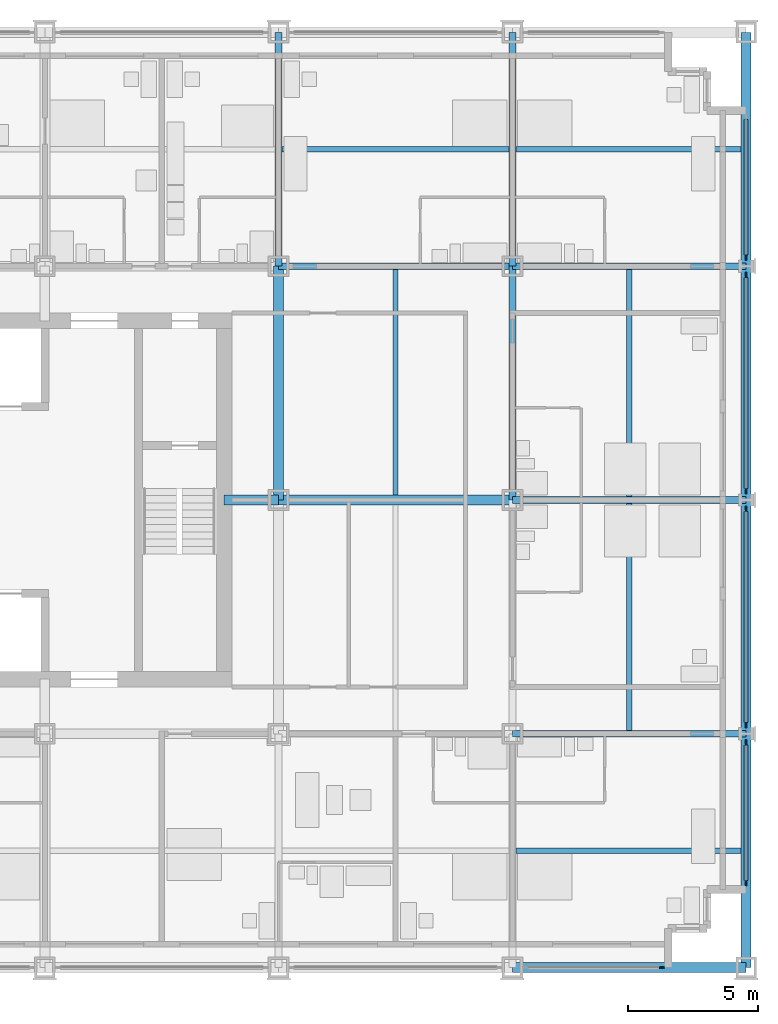
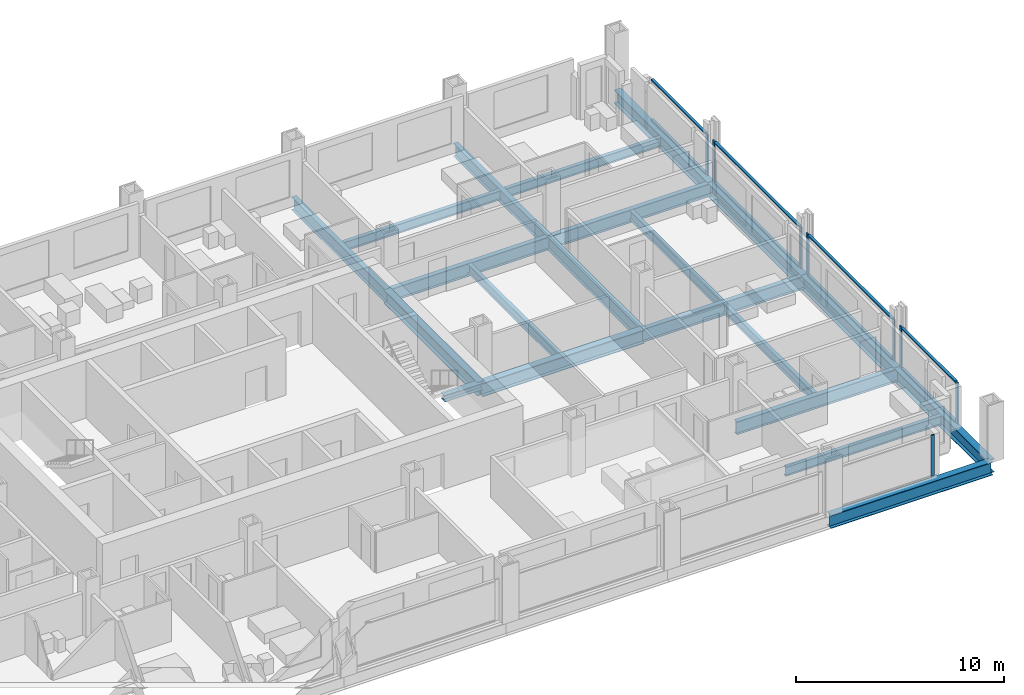
# One storey, part 6 of 18: 20 beams, 17 members, 5 elements without a shape of their own.
"""IFC4 building model written with IfcOpenShell, lengths in metres."""

from ifc_helpers import new_model, si_unit, direction, frame, origin, origin_2d, place, context, subcontext, project, spatial, rectangle, i_section, extrude, material, material_profile, profile_set, type_object, element, aggregate, save


model = new_model("IFC4")

# Units and contexts
model_context = context("Model", 3, precision=1e-05, world=origin(), true_north=direction((0.0, 1.0)))
body_context = subcontext(model_context, "Body", "Model", "MODEL_VIEW")
ifc_project = project(units=[si_unit("LENGTHUNIT", "METRE"), si_unit("AREAUNIT", "SQUARE_METRE"), si_unit("VOLUMEUNIT", "CUBIC_METRE"), si_unit("PLANEANGLEUNIT", "RADIAN"), si_unit("MASSUNIT", "GRAM", prefix="KILO")], contexts=[model_context])

# Site, building, storey
site_placement = place(None, origin())
site = spatial("IfcSite", under=ifc_project, at=site_placement, CompositionType="ELEMENT")
building_placement = place(site_placement, origin())
building = spatial("IfcBuilding", under=site, at=building_placement, Name="Loomwork Tower", CompositionType="ELEMENT")
storey_placement = place(building_placement, frame((0.0, 0.0, 38.199951171875)))
storey = spatial("IfcBuildingStorey", under=building, at=storey_placement, Name="L08", CompositionType="ELEMENT", Elevation=38.199951171875)

# Beams
ifc_material_1 = material(Name="Steel ASTM A992", Category="steel")
ifc_material_profile_1 = material_profile(ifc_material_1, i_section(OverallWidth=0.383544921875, OverallDepth=0.794921875, WebThickness=0.02099609375, FlangeThickness=0.0380859375, at=origin_2d()), Name="W30x235")
ifc_profile_set_1 = profile_set([ifc_material_profile_1], Name="Steel ASTM A992")
beam_type_1 = type_object("IfcBeamType", Name="CORE FLANK GIRDER W30x235", PredefinedType="BEAM", material=ifc_profile_set_1)
for number, where, z_axis, x_axis, name in (
    (1, (36.0, 18.0, -0.597412109375), (1.0, 0.0, 0.0), (0.0, 1.0, 0.0), "Core Flank Girder F/6-F/7 L08"),
    (2, (36.0, 18.0, -0.597412109375), (0.0, 1.0, 0.0), (-1.0, 0.0, 0.0), "Core Flank Girder F/6-G/6 L08"),
):
    element("IfcBeam", number, at=place(storey_placement, frame(where, z_axis=z_axis, x_axis=x_axis)), inside=storey, type_object=beam_type_1, Name=name, PredefinedType="BEAM", context=body_context, shape_type="SweptSolid", body=[
        extrude(i_section(OverallWidth=0.383544921875, OverallDepth=0.794921875, WebThickness=0.02099609375, FlangeThickness=0.0380859375, at=origin_2d()), origin(), (0.0, 0.0, 1.0), 9.0),
    ])

# Member
ifc_material_2 = material(Name="Steel ASTM A992", Category="steel")
ifc_material_profile_2 = material_profile(ifc_material_2, i_section(OverallWidth=0.373291015625, OverallDepth=0.373291015625, WebThickness=0.016357421875, FlangeThickness=0.026123046875, at=origin_2d()), Name="W14x132")
ifc_profile_set_2 = profile_set([ifc_material_profile_2], Name="Steel ASTM A992")
member_type_1 = type_object("IfcMemberType", Name="CORE LINK STRUT W14x132", PredefinedType="STRUT", material=ifc_profile_set_2)
member_1_placement = place(storey_placement, frame((36.0, 18.0, -0.38671875), z_axis=(-1.0, 0.0, 0.0), x_axis=(0.0, -1.0, 0.0)))
element("IfcMember", 3, at=member_1_placement, inside=storey, type_object=member_type_1, Name="Core link strut F/6-33.900,18.000 L08", PredefinedType="STRUT", context=body_context, shape_type="SweptSolid", body=[
    extrude(i_section(OverallWidth=0.373291015625, OverallDepth=0.373291015625, WebThickness=0.016357421875, FlangeThickness=0.026123046875, at=origin_2d()), origin(), (0.0, 0.0, 1.0), 2.10009765625),
])

# Beams
ifc_material_3 = material(Name="Steel ASTM A992", Category="steel")
ifc_material_profile_3 = material_profile(ifc_material_3, i_section(OverallWidth=0.2666015625, OverallDepth=0.761962890625, WebThickness=0.014404296875, FlangeThickness=0.021484375, at=origin_2d()), Name="W30x116")
ifc_profile_set_3 = profile_set([ifc_material_profile_3], Name="Steel ASTM A992")
beam_type_2 = type_object("IfcBeamType", Name="FLOOR GIRDER W30x116", PredefinedType="BEAM", material=ifc_profile_set_3)
for number, where, z_axis, x_axis, name in (
    (4, (45.0, 9.0, -0.5810546875), (1.0, 0.0, 0.0), (0.0, 1.0, 0.0), "Floor Girder E/7-E/8 L08"),
    (5, (45.0, 18.0, -0.5810546875), (1.0, 0.0, 0.0), (0.0, 1.0, 0.0), "Floor Girder F/7-F/8 L08"),
    (6, (36.0, 27.0, -0.5810546875), (1.0, 0.0, 0.0), (0.0, 1.0, 0.0), "Floor Girder G/6-G/7 L08"),
    (7, (45.0, 27.0, -0.5810546875), (1.0, 0.0, 0.0), (0.0, 1.0, 0.0), "Floor Girder G/7-G/8 L08"),
    (8, (36.0, 27.0, -0.5810546875), (0.0, 1.0, 0.0), (-1.0, 0.0, 0.0), "Floor Girder G/6-H/6 L08"),
    (9, (45.0, 18.0, -0.5810546875), (0.0, 1.0, 0.0), (-1.0, 0.0, 0.0), "Floor Girder F/7-G/7 L08"),
    (10, (45.0, 27.0, -0.5810546875), (0.0, 1.0, 0.0), (-1.0, 0.0, 0.0), "Floor Girder G/7-H/7 L08"),
):
    element("IfcBeam", number, at=place(storey_placement, frame(where, z_axis=z_axis, x_axis=x_axis)), inside=storey, type_object=beam_type_2, Name=name, PredefinedType="BEAM", context=body_context, shape_type="SweptSolid", body=[
        extrude(i_section(OverallWidth=0.2666015625, OverallDepth=0.761962890625, WebThickness=0.014404296875, FlangeThickness=0.021484375, at=origin_2d()), origin(), (0.0, 0.0, 1.0), 9.0),
    ])
ifc_material_4 = material(Name="Steel ASTM A992", Category="steel")
ifc_material_profile_4 = material_profile(ifc_material_4, i_section(OverallWidth=0.2109375, OverallDepth=0.53857421875, WebThickness=0.011474609375, FlangeThickness=0.018798828125, at=origin_2d()), Name="W21x73")
ifc_profile_set_4 = profile_set([ifc_material_profile_4], Name="Steel ASTM A992")
beam_type_3 = type_object("IfcBeamType", Name="FLOOR JOIST W21x73", PredefinedType="JOIST", material=ifc_profile_set_4)
beam_1_placement = place(storey_placement, frame((40.5, 18.19091796875, -0.46923828125), z_axis=(0.0, 1.0, 0.0), x_axis=(-1.0, 0.0, 0.0)))
element("IfcBeam", 11, at=beam_1_placement, inside=storey, type_object=beam_type_3, Name="Floor Joist 40.500,18.000-40.500,27.000 L08", PredefinedType="JOIST", context=body_context, shape_type="SweptSolid", body=[
    extrude(i_section(OverallWidth=0.2109375, OverallDepth=0.53857421875, WebThickness=0.011474609375, FlangeThickness=0.018798828125, at=origin_2d()), origin(), (0.0, 0.0, 1.0), 8.676025390625),
])
beam_2_placement = place(storey_placement, frame((36.133056640625, 31.5, -0.46923828125), z_axis=(1.0, 0.0, 0.0), x_axis=(0.0, 1.0, 0.0)))
element("IfcBeam", 12, at=beam_2_placement, inside=storey, type_object=beam_type_3, Name="Floor Joist 36.000,31.500-45.000,31.500 L08", PredefinedType="JOIST", context=body_context, shape_type="SweptSolid", body=[
    extrude(i_section(OverallWidth=0.2109375, OverallDepth=0.53857421875, WebThickness=0.011474609375, FlangeThickness=0.018798828125, at=origin_2d()), origin(), (0.0, 0.0, 1.0), 8.73388671875),
])
beam_3_placement = place(storey_placement, frame((45.133056640625, 4.5, -0.46923828125), z_axis=(1.0, 0.0, 0.0), x_axis=(0.0, 1.0, 0.0)))
element("IfcBeam", 13, at=beam_3_placement, inside=storey, type_object=beam_type_3, Name="Floor Joist 45.000,4.500-54.000,4.500 L08", PredefinedType="JOIST", context=body_context, shape_type="SweptSolid", body=[
    extrude(i_section(OverallWidth=0.2109375, OverallDepth=0.53857421875, WebThickness=0.011474609375, FlangeThickness=0.018798828125, at=origin_2d()), origin(), (0.0, 0.0, 1.0), 8.677001953125),
])
for number, where, z_axis, x_axis, name in (
    (14, (49.5, 9.133056640625, -0.46923828125), (0.0, 1.0, 0.0), (-1.0, 0.0, 0.0), "Floor Joist 49.500,9.000-49.500,18.000 L08"),
    (15, (49.5, 18.133056640625, -0.46923828125), (0.0, 1.0, 0.0), (-1.0, 0.0, 0.0), "Floor Joist 49.500,18.000-49.500,27.000 L08"),
):
    element("IfcBeam", number, at=place(storey_placement, frame(where, z_axis=z_axis, x_axis=x_axis)), inside=storey, type_object=beam_type_3, Name=name, PredefinedType="JOIST", context=body_context, shape_type="SweptSolid", body=[
        extrude(i_section(OverallWidth=0.2109375, OverallDepth=0.53857421875, WebThickness=0.011474609375, FlangeThickness=0.018798828125, at=origin_2d()), origin(), (0.0, 0.0, 1.0), 8.73388671875),
    ])
beam_4_placement = place(storey_placement, frame((45.133056640625, 31.5, -0.46923828125), z_axis=(1.0, 0.0, 0.0), x_axis=(0.0, 1.0, 0.0)))
element("IfcBeam", 16, at=beam_4_placement, inside=storey, type_object=beam_type_3, Name="Floor Joist 45.000,31.500-54.000,31.500 L08", PredefinedType="JOIST", context=body_context, shape_type="SweptSolid", body=[
    extrude(i_section(OverallWidth=0.2109375, OverallDepth=0.53857421875, WebThickness=0.011474609375, FlangeThickness=0.018798828125, at=origin_2d()), origin(), (0.0, 0.0, 1.0), 8.677001953125),
])

# Curtain wall, member
ifc_material_5 = material(Name="Aluminium curtain wall frame", Category="aluminium")
curtain_wall_type = type_object("IfcCurtainWallType", Name="Outer skin glazing hotel", PredefinedType="NOTDEFINED", material=ifc_material_5)
curtain_wall_1_placement = place(storey_placement, origin())
curtain_wall_1 = element("IfcCurtainWall", 17, at=curtain_wall_1_placement, inside=storey, type_object=curtain_wall_type, Name="Outer skin glazing hotel cw/S-45", PredefinedType="NOTDEFINED")
ifc_material_6 = material(Name="Aluminium curtain wall frame", Category="aluminium")
ifc_material_profile_5 = material_profile(ifc_material_6, rectangle(XDim=0.06494140625, YDim=0.199951171875, at=origin_2d()), Name="AL 65x200")
ifc_profile_set_5 = profile_set([ifc_material_profile_5], Name="Aluminium curtain wall frame")
member_type_2 = type_object("IfcMemberType", Name="Outer skin glazing hotel mullion", PredefinedType="MULLION", material=ifc_profile_set_5)
member_2_placement = place(storey_placement, frame((50.75, 0.0, 0.0), z_axis=(0.0, 0.0, 1.0), x_axis=(0.0, 1.0, 0.0)))
member_2 = element("IfcMember", 18, at=member_2_placement, type_object=member_type_2, Name="CW1 mullion 2", PredefinedType="MULLION", context=body_context, shape_type="SweptSolid", body=[
    extrude(rectangle(XDim=0.06494140625, YDim=0.199951171875, at=origin_2d()), origin(), (0.0, 0.0, 1.0), 2.420166015625),
])
aggregate(curtain_wall_1, [member_2])

# Curtain wall, members
curtain_wall_2_placement = place(storey_placement, origin())
curtain_wall_2 = element("IfcCurtainWall", 19, at=curtain_wall_2_placement, inside=storey, type_object=curtain_wall_type, Name="Outer skin glazing hotel cw/E-0", PredefinedType="NOTDEFINED")
member_3_placement = place(storey_placement, frame((54.0, 3.25, 0.0), z_axis=(0.0, 0.0, 1.0), x_axis=(-1.0, 0.0, 0.0)))
member_3 = element("IfcMember", 20, at=member_3_placement, type_object=member_type_2, Name="CW1 mullion 1", PredefinedType="MULLION", context=body_context, shape_type="SweptSolid", body=[
    extrude(rectangle(XDim=0.06494140625, YDim=0.199951171875, at=origin_2d()), origin(), (0.0, 0.0, 1.0), 2.420166015625),
])
member_4_placement = place(storey_placement, frame((54.0, 8.6611328125, 0.0), z_axis=(0.0, 0.0, 1.0), x_axis=(-1.0, 0.0, 0.0)))
member_4 = element("IfcMember", 21, at=member_4_placement, type_object=member_type_2, Name="CW1 mullion 2", PredefinedType="MULLION", context=body_context, shape_type="SweptSolid", body=[
    extrude(rectangle(XDim=0.06494140625, YDim=0.199951171875, at=origin_2d()), origin(), (0.0, 0.0, 1.0), 2.420166015625),
])

curtain_wall_3_placement = place(storey_placement, origin())
curtain_wall_3 = element("IfcCurtainWall", 22, at=curtain_wall_3_placement, inside=storey, type_object=curtain_wall_type, Name="Outer skin glazing hotel cw/E-9", PredefinedType="NOTDEFINED")
member_5_placement = place(storey_placement, frame((54.0, 9.3388671875, 0.0), z_axis=(0.0, 0.0, 1.0), x_axis=(-1.0, 0.0, 0.0)))
member_5 = element("IfcMember", 23, at=member_5_placement, type_object=member_type_2, Name="CW1 mullion 1", PredefinedType="MULLION", context=body_context, shape_type="SweptSolid", body=[
    extrude(rectangle(XDim=0.06494140625, YDim=0.199951171875, at=origin_2d()), origin(), (0.0, 0.0, 1.0), 2.420166015625),
])
member_6_placement = place(storey_placement, frame((54.0, 17.6611328125, 0.0), z_axis=(0.0, 0.0, 1.0), x_axis=(-1.0, 0.0, 0.0)))
member_6 = element("IfcMember", 24, at=member_6_placement, type_object=member_type_2, Name="CW1 mullion 2", PredefinedType="MULLION", context=body_context, shape_type="SweptSolid", body=[
    extrude(rectangle(XDim=0.06494140625, YDim=0.199951171875, at=origin_2d()), origin(), (0.0, 0.0, 1.0), 2.420166015625),
])

curtain_wall_4_placement = place(storey_placement, origin())
curtain_wall_4 = element("IfcCurtainWall", 25, at=curtain_wall_4_placement, inside=storey, type_object=curtain_wall_type, Name="Outer skin glazing hotel cw/E-18", PredefinedType="NOTDEFINED")
member_7_placement = place(storey_placement, frame((54.0, 18.3388671875, 0.0), z_axis=(0.0, 0.0, 1.0), x_axis=(-1.0, 0.0, 0.0)))
member_7 = element("IfcMember", 26, at=member_7_placement, type_object=member_type_2, Name="CW1 mullion 1", PredefinedType="MULLION", context=body_context, shape_type="SweptSolid", body=[
    extrude(rectangle(XDim=0.06494140625, YDim=0.199951171875, at=origin_2d()), origin(), (0.0, 0.0, 1.0), 2.420166015625),
])
member_8_placement = place(storey_placement, frame((54.0, 26.6611328125, 0.0), z_axis=(0.0, 0.0, 1.0), x_axis=(-1.0, 0.0, 0.0)))
member_8 = element("IfcMember", 27, at=member_8_placement, type_object=member_type_2, Name="CW1 mullion 2", PredefinedType="MULLION", context=body_context, shape_type="SweptSolid", body=[
    extrude(rectangle(XDim=0.06494140625, YDim=0.199951171875, at=origin_2d()), origin(), (0.0, 0.0, 1.0), 2.420166015625),
])

# Curtain wall, member
curtain_wall_5_placement = place(storey_placement, origin())
curtain_wall_5 = element("IfcCurtainWall", 28, at=curtain_wall_5_placement, inside=storey, type_object=curtain_wall_type, Name="Outer skin glazing hotel cw/E-27", PredefinedType="NOTDEFINED")
member_9_placement = place(storey_placement, frame((54.0, 27.3388671875, 0.0), z_axis=(0.0, 0.0, 1.0), x_axis=(-1.0, 0.0, 0.0)))
member_9 = element("IfcMember", 29, at=member_9_placement, type_object=member_type_2, Name="CW1 mullion 1", PredefinedType="MULLION", context=body_context, shape_type="SweptSolid", body=[
    extrude(rectangle(XDim=0.06494140625, YDim=0.199951171875, at=origin_2d()), origin(), (0.0, 0.0, 1.0), 2.420166015625),
])

# Member
ifc_material_7 = material(Name="Aluminium curtain wall frame", Category="aluminium")
ifc_material_profile_6 = material_profile(ifc_material_7, rectangle(XDim=0.14990234375, YDim=0.06494140625, at=origin_2d()), Name="AL 65x150")
ifc_profile_set_6 = profile_set([ifc_material_profile_6], Name="Aluminium curtain wall frame")
member_type_3 = type_object("IfcMemberType", Name="Outer skin glazing hotel transom", PredefinedType="USERDEFINED", material=ifc_profile_set_6)
member_10_placement = place(storey_placement, frame((54.0, 3.35009765625, 0.032470703125), z_axis=(0.0, 1.0, 0.0), x_axis=(-1.0, 0.0, 0.0)))
member_10 = element("IfcMember", 30, at=member_10_placement, type_object=member_type_3, Name="CW1 transom 1.1", ObjectType="TRANSOM", PredefinedType="USERDEFINED", context=body_context, shape_type="SweptSolid", body=[
    extrude(rectangle(XDim=0.14990234375, YDim=0.06494140625, at=origin_2d()), origin(), (0.0, 0.0, 1.0), 5.211181640625),
])

member_11_placement = place(storey_placement, frame((54.0, 3.35009765625, 2.3876953125), z_axis=(0.0, 1.0, 0.0), x_axis=(-1.0, 0.0, 0.0)))
member_11 = element("IfcMember", 31, at=member_11_placement, type_object=member_type_3, Name="CW1 transom 1.2", ObjectType="TRANSOM", PredefinedType="USERDEFINED", context=body_context, shape_type="SweptSolid", body=[
    extrude(rectangle(XDim=0.14990234375, YDim=0.06494140625, at=origin_2d()), origin(), (0.0, 0.0, 1.0), 5.211181640625),
])

aggregate(curtain_wall_2, [member_3, member_4, member_10, member_11])

member_12_placement = place(storey_placement, frame((54.0, 9.438720703125, 0.032470703125), z_axis=(0.0, 1.0, 0.0), x_axis=(-1.0, 0.0, 0.0)))
member_12 = element("IfcMember", 32, at=member_12_placement, type_object=member_type_3, Name="CW1 transom 1.1", ObjectType="TRANSOM", PredefinedType="USERDEFINED", context=body_context, shape_type="SweptSolid", body=[
    extrude(rectangle(XDim=0.14990234375, YDim=0.06494140625, at=origin_2d()), origin(), (0.0, 0.0, 1.0), 8.12255859375),
])

member_13_placement = place(storey_placement, frame((54.0, 9.438720703125, 2.3876953125), z_axis=(0.0, 1.0, 0.0), x_axis=(-1.0, 0.0, 0.0)))
member_13 = element("IfcMember", 33, at=member_13_placement, type_object=member_type_3, Name="CW1 transom 1.2", ObjectType="TRANSOM", PredefinedType="USERDEFINED", context=body_context, shape_type="SweptSolid", body=[
    extrude(rectangle(XDim=0.14990234375, YDim=0.06494140625, at=origin_2d()), origin(), (0.0, 0.0, 1.0), 8.12255859375),
])

aggregate(curtain_wall_3, [member_5, member_6, member_12, member_13])

member_14_placement = place(storey_placement, frame((54.0, 18.438720703125, 0.032470703125), z_axis=(0.0, 1.0, 0.0), x_axis=(-1.0, 0.0, 0.0)))
member_14 = element("IfcMember", 34, at=member_14_placement, type_object=member_type_3, Name="CW1 transom 1.1", ObjectType="TRANSOM", PredefinedType="USERDEFINED", context=body_context, shape_type="SweptSolid", body=[
    extrude(rectangle(XDim=0.14990234375, YDim=0.06494140625, at=origin_2d()), origin(), (0.0, 0.0, 1.0), 8.12255859375),
])

member_15_placement = place(storey_placement, frame((54.0, 18.438720703125, 2.3876953125), z_axis=(0.0, 1.0, 0.0), x_axis=(-1.0, 0.0, 0.0)))
member_15 = element("IfcMember", 35, at=member_15_placement, type_object=member_type_3, Name="CW1 transom 1.2", ObjectType="TRANSOM", PredefinedType="USERDEFINED", context=body_context, shape_type="SweptSolid", body=[
    extrude(rectangle(XDim=0.14990234375, YDim=0.06494140625, at=origin_2d()), origin(), (0.0, 0.0, 1.0), 8.12255859375),
])

aggregate(curtain_wall_4, [member_7, member_8, member_14, member_15])

member_16_placement = place(storey_placement, frame((54.0, 27.438720703125, 0.032470703125), z_axis=(0.0, 1.0, 0.0), x_axis=(-1.0, 0.0, 0.0)))
member_16 = element("IfcMember", 36, at=member_16_placement, type_object=member_type_3, Name="CW1 transom 1.1", ObjectType="TRANSOM", PredefinedType="USERDEFINED", context=body_context, shape_type="SweptSolid", body=[
    extrude(rectangle(XDim=0.14990234375, YDim=0.06494140625, at=origin_2d()), origin(), (0.0, 0.0, 1.0), 5.211181640625),
])

member_17_placement = place(storey_placement, frame((54.0, 27.438720703125, 2.3876953125), z_axis=(0.0, 1.0, 0.0), x_axis=(-1.0, 0.0, 0.0)))
member_17 = element("IfcMember", 37, at=member_17_placement, type_object=member_type_3, Name="CW1 transom 1.2", ObjectType="TRANSOM", PredefinedType="USERDEFINED", context=body_context, shape_type="SweptSolid", body=[
    extrude(rectangle(XDim=0.14990234375, YDim=0.06494140625, at=origin_2d()), origin(), (0.0, 0.0, 1.0), 5.211181640625),
])

aggregate(curtain_wall_5, [member_9, member_16, member_17])

# Beams
ifc_material_8 = material(Name="Steel ASTM A992", Category="steel")
ifc_material_profile_7 = material_profile(ifc_material_8, i_section(OverallWidth=0.381103515625, OverallDepth=0.77978515625, WebThickness=0.01806640625, FlangeThickness=0.0302734375, at=origin_2d()), Name="W30x191")
ifc_profile_set_7 = profile_set([ifc_material_profile_7], Name="Steel ASTM A992")
beam_type_4 = type_object("IfcBeamType", Name="SPANDREL GIRDER W30x191", PredefinedType="SPANDREL", material=ifc_profile_set_7)
for number, where, z_axis, x_axis, name in (
    (38, (45.0, 0.0, -0.58984375), (1.0, 0.0, 0.0), (0.0, 1.0, 0.0), "Spandrel Girder D/7-D/8 L08"),
    (39, (54.0, 0.0, -0.58984375), (0.0, 1.0, 0.0), (-1.0, 0.0, 0.0), "Spandrel Girder D/8-E/8 L08"),
    (40, (54.0, 9.0, -0.58984375), (0.0, 1.0, 0.0), (-1.0, 0.0, 0.0), "Spandrel Girder E/8-F/8 L08"),
    (41, (54.0, 18.0, -0.58984375), (0.0, 1.0, 0.0), (-1.0, 0.0, 0.0), "Spandrel Girder F/8-G/8 L08"),
    (42, (54.0, 27.0, -0.58984375), (0.0, 1.0, 0.0), (-1.0, 0.0, 0.0), "Spandrel Girder G/8-H/8 L08"),
):
    element("IfcBeam", number, at=place(storey_placement, frame(where, z_axis=z_axis, x_axis=x_axis)), inside=storey, type_object=beam_type_4, Name=name, PredefinedType="SPANDREL", context=body_context, shape_type="SweptSolid", body=[
        extrude(i_section(OverallWidth=0.381103515625, OverallDepth=0.77978515625, WebThickness=0.01806640625, FlangeThickness=0.0302734375, at=origin_2d()), origin(), (0.0, 0.0, 1.0), 9.0),
    ])

save(model, "model.ifc")
